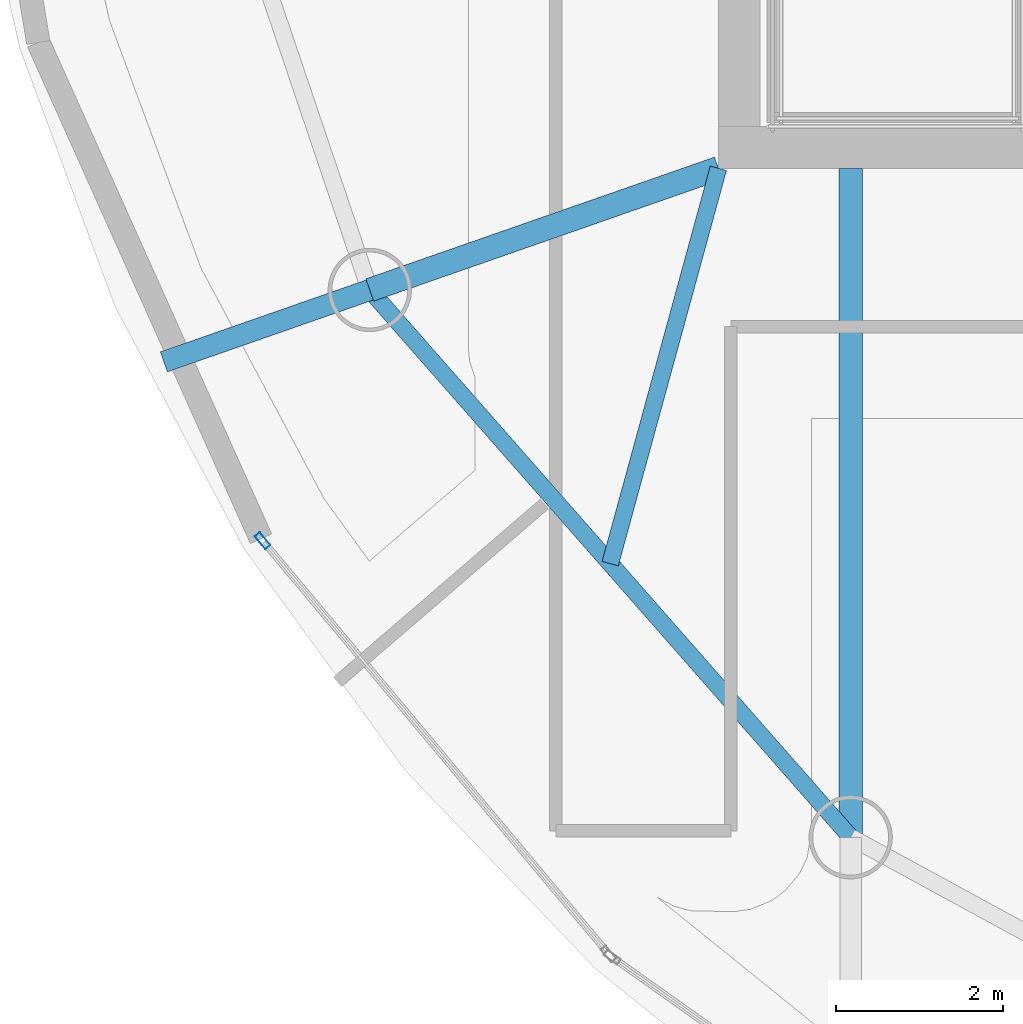
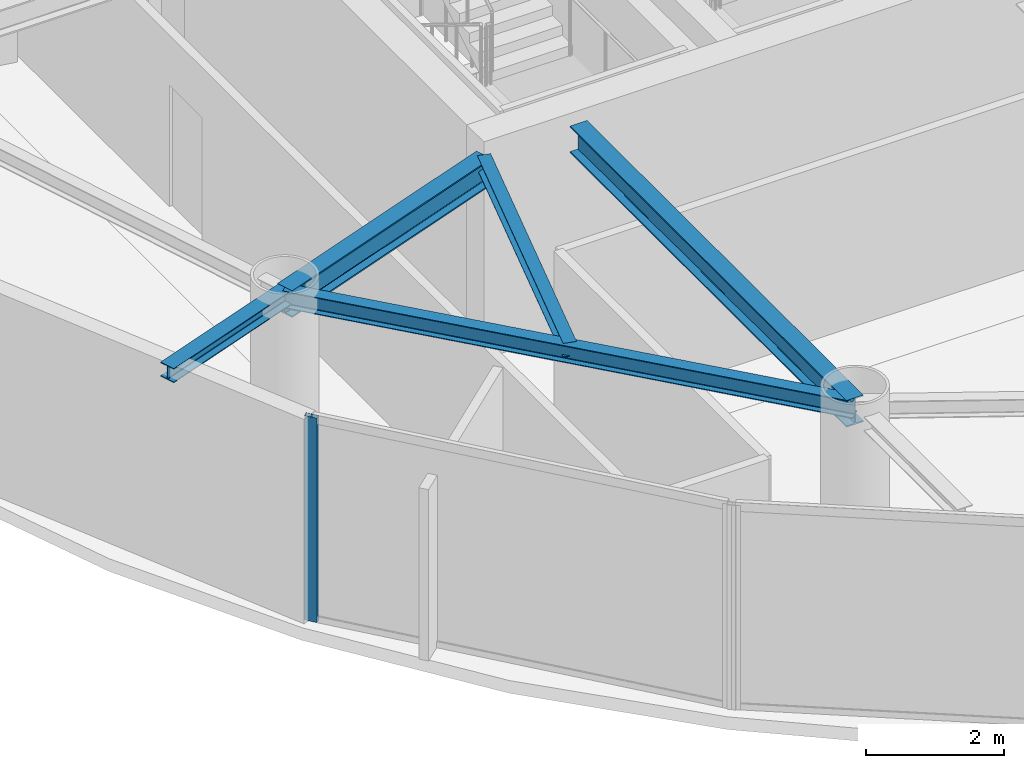
# One storey, part 3 of 17: 5 beams, 1 member, 1 element without a shape of its own.
"""IFC4 building model written with IfcOpenShell, lengths in metres."""

from ifc_helpers import new_model, si_unit, direction, frame, origin, origin_2d, place, context, subcontext, project, spatial, hollow_rectangle, i_section, extrude, material, layer, layer_set, material_profile, profile_set, type_object, element, aggregate, save


model = new_model("IFC4")

# Units and contexts
model_context = context("Model", 3, precision=1e-05, world=origin(), true_north=direction((0.0, 1.0)))
body_context = subcontext(model_context, "Body", "Model", "MODEL_VIEW")
ifc_project = project(units=[si_unit("LENGTHUNIT", "METRE"), si_unit("AREAUNIT", "SQUARE_METRE"), si_unit("VOLUMEUNIT", "CUBIC_METRE"), si_unit("PLANEANGLEUNIT", "RADIAN"), si_unit("MASSUNIT", "GRAM", prefix="KILO")], contexts=[model_context])

# Site, building, storey
site_placement = place(None, origin())
site = spatial("IfcSite", under=ifc_project, at=site_placement, CompositionType="ELEMENT")
building_placement = place(site_placement, origin())
building = spatial("IfcBuilding", under=site, at=building_placement, Name="Bramvorn Convention Spire", CompositionType="ELEMENT")
storey_placement = place(building_placement, frame((0.0, 0.0, 265.14990234375)))
storey = spatial("IfcBuildingStorey", under=building, at=storey_placement, Name="L67", CompositionType="ELEMENT", Elevation=265.14990234375)

# Beams
ifc_material_1 = material(Name="Steel CSA G40.21 Grade 350 (350W)", Category="steel")
ifc_material_profile_1 = material_profile(ifc_material_1, i_section(OverallWidth=0.201904296875, OverallDepth=0.2470703125, WebThickness=0.00732421875, FlangeThickness=0.010986328125, FilletRadius=0.011962890625, at=origin_2d()))
ifc_profile_set_1 = profile_set([ifc_material_profile_1], Name="Steel CSA G40.21 Grade 350 (350W) - W250X49")
beam_type_1 = type_object("IfcBeamType", Name="BM-W250X49", PredefinedType="JOIST", material=ifc_profile_set_1)
beam_1_placement = place(storey_placement, frame((26.75, 18.550048828125, 3.501708984375), z_axis=(-0.26386506219, -0.96455960363, 0.0), x_axis=(0.96455960363, -0.26386506219, 0.0)))
element("IfcBeam", 1, at=beam_1_placement, inside=storey, type_object=beam_type_1, Name="L67 composite floor joist 13", PredefinedType="JOIST", context=body_context, shape_type="SweptSolid", body=[
    extrude(i_section(OverallWidth=0.201904296875, OverallDepth=0.2470703125, WebThickness=0.00732421875, FlangeThickness=0.010986328125, FilletRadius=0.011962890625, at=origin_2d()), origin(), (0.0, 0.0, 1.0), 4.917724609375),
])
ifc_material_profile_2 = material_profile(ifc_material_1, i_section(OverallWidth=0.25390625, OverallDepth=0.2529296875, WebThickness=0.008544921875, FlangeThickness=0.01416015625, FilletRadius=0.011962890625, at=origin_2d()))
ifc_profile_set_2 = profile_set([ifc_material_profile_2], Name="Steel CSA G40.21 Grade 350 (350W) - W250X73")
beam_type_2 = type_object("IfcBeamType", Name="BM-W250X73", PredefinedType="BEAM", material=ifc_profile_set_2)
beam_2_placement = place(storey_placement, frame((22.5673828125, 17.090087890625, 3.49853515625), z_axis=(-0.944128623142, -0.329577218515, 0.0), x_axis=(0.329577218515, -0.944128623142, 0.0)))
element("IfcBeam", 2, at=beam_2_placement, inside=storey, type_object=beam_type_2, Name="L67 slab-edge cantilever tip beam MC13", PredefinedType="BEAM", context=body_context, shape_type="SweptSolid", body=[
    extrude(i_section(OverallWidth=0.25390625, OverallDepth=0.2529296875, WebThickness=0.008544921875, FlangeThickness=0.01416015625, FilletRadius=0.011962890625, at=origin_2d()), origin(), (0.0, 0.0, 1.0), 2.616455078125),
])
ifc_material_profile_3 = material_profile(ifc_material_1, i_section(OverallWidth=0.202880859375, OverallDepth=0.302978515625, WebThickness=0.007568359375, FlangeThickness=0.01318359375, FilletRadius=0.013916015625, at=origin_2d()))
ifc_profile_set_3 = profile_set([ifc_material_profile_3], Name="Steel CSA G40.21 Grade 350 (350W) - W310X60")
beam_type_3 = type_object("IfcBeamType", Name="BM-W310X60", PredefinedType="JOIST", material=ifc_profile_set_3)
beam_3_placement = place(storey_placement, frame((22.5673828125, 17.090087890625, 3.4736328125), z_axis=(0.660073062339, -0.751201405999, 0.0), x_axis=(0.751201405999, 0.660073062339, 0.0)))
element("IfcBeam", 3, at=beam_3_placement, inside=storey, type_object=beam_type_3, Name="L67 mega-column ring beam 13", PredefinedType="JOIST", context=body_context, shape_type="SweptSolid", body=[
    extrude(i_section(OverallWidth=0.202880859375, OverallDepth=0.302978515625, WebThickness=0.007568359375, FlangeThickness=0.01318359375, FilletRadius=0.013916015625, at=origin_2d()), origin(), (0.0, 0.0, 1.0), 8.741943359375),
])
ifc_material_profile_4 = material_profile(ifc_material_1, i_section(OverallWidth=0.283935546875, OverallDepth=0.47607421875, WebThickness=0.014892578125, FlangeThickness=0.02392578125, FilletRadius=0.01806640625, at=origin_2d()))
ifc_profile_set_4 = profile_set([ifc_material_profile_4], Name="Steel CSA G40.21 Grade 350 (350W) - W460X158")
beam_type_4 = type_object("IfcBeamType", Name="BM-W460X158", PredefinedType="SPANDREL", material=ifc_profile_set_4)
beam_4_placement = place(storey_placement, frame((26.75, 18.550048828125, 3.38720703125), z_axis=(-0.944136391877, -0.329554962843, 0.0), x_axis=(0.329554962843, -0.944136391877, 0.0)))
element("IfcBeam", 4, at=beam_4_placement, inside=storey, type_object=beam_type_4, Name="L67 radial floor girder MC13", PredefinedType="SPANDREL", context=body_context, shape_type="SweptSolid", body=[
    extrude(i_section(OverallWidth=0.283935546875, OverallDepth=0.47607421875, WebThickness=0.014892578125, FlangeThickness=0.02392578125, FilletRadius=0.01806640625, at=origin_2d()), origin(), (0.0, 0.0, 1.0), 4.43017578125),
])
beam_5_placement = place(storey_placement, frame((28.337646484375, 18.550048828125, 3.38720703125), z_axis=(0.0, -1.0, 0.0), x_axis=(1.0, 0.0, 0.0)))
element("IfcBeam", 5, at=beam_5_placement, inside=storey, type_object=beam_type_4, Name="L67 radial floor girder MC14", PredefinedType="SPANDREL", context=body_context, shape_type="SweptSolid", body=[
    extrude(i_section(OverallWidth=0.283935546875, OverallDepth=0.47607421875, WebThickness=0.014892578125, FlangeThickness=0.02392578125, FilletRadius=0.01806640625, at=origin_2d()), origin(), (0.0, 0.0, 1.0), 8.02685546875),
])

# Curtain wall, member
ifc_material_2 = material(Name="Anodised Bronze Unitised Curtain Wall", Category="aluminium")
ifc_layer = layer(ifc_material_2, 0.179931640625)
ifc_layer_set = layer_set([ifc_layer], Name="Anodised Bronze Unitised Curtain Wall - CW-OFF-FRIT")
curtain_wall_type = type_object("IfcCurtainWallType", Name="CW-OFF-FRIT", PredefinedType="USERDEFINED", material=ifc_layer_set)
curtain_wall_placement = place(storey_placement, origin())
curtain_wall = element("IfcCurtainWall", 6, at=curtain_wall_placement, inside=storey, type_object=curtain_wall_type, Name="L67 fritted glass curtain wall 19", ObjectType="UNITISED CURTAIN WALL", PredefinedType="USERDEFINED")
ifc_material_3 = material(Name="Anodised Bronze Aluminium 6063-T6", Category="aluminium")
ifc_material_profile_5 = material_profile(ifc_material_3, hollow_rectangle(XDim=0.080078125, YDim=0.199951171875, WallThickness=0.00390625, InnerFilletRadius=0.0009765625, OuterFilletRadius=0.00390625, at=origin_2d()))
ifc_profile_set_5 = profile_set([ifc_material_profile_5], Name="Anodised Bronze Aluminium 6063-T6 - CWM80X200")
member_type = type_object("IfcMemberType", Name="CW-MUL-180", PredefinedType="MULLION", material=ifc_profile_set_5)
member_placement = place(storey_placement, frame((21.28173828125, 14.082275390625, 0.0), z_axis=(0.0, 0.0, 1.0), x_axis=(-0.76680660091, -0.641878210255, 0.0)))
member = element("IfcMember", 7, at=member_placement, type_object=member_type, Name="CW3 mullion 2", PredefinedType="MULLION", context=body_context, shape_type="SweptSolid", body=[
    extrude(hollow_rectangle(XDim=0.080078125, YDim=0.199951171875, WallThickness=0.00390625, InnerFilletRadius=0.0009765625, OuterFilletRadius=0.00390625, at=origin_2d()), origin(), (0.0, 0.0, 1.0), 3.625),
])
aggregate(curtain_wall, [member])

save(model, "model.ifc")
